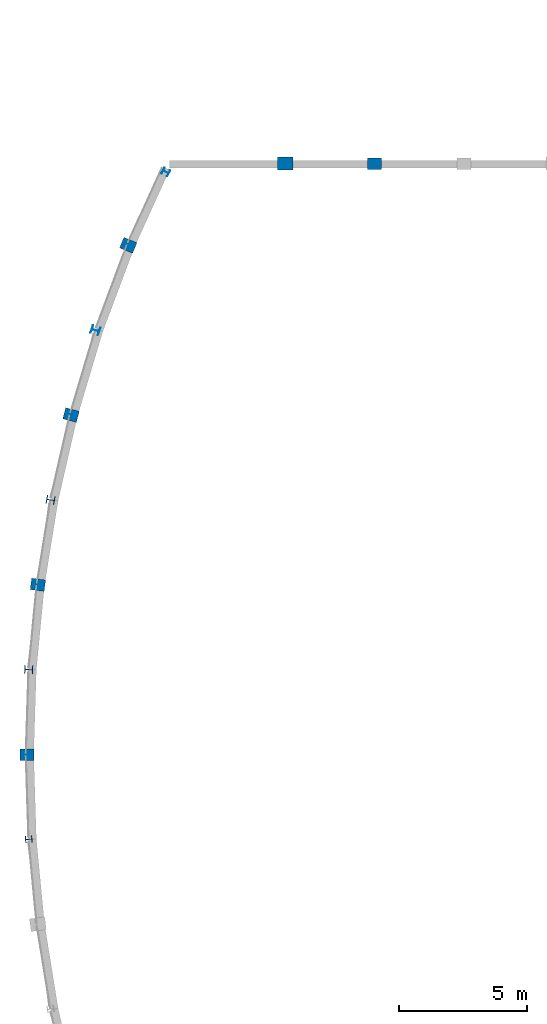
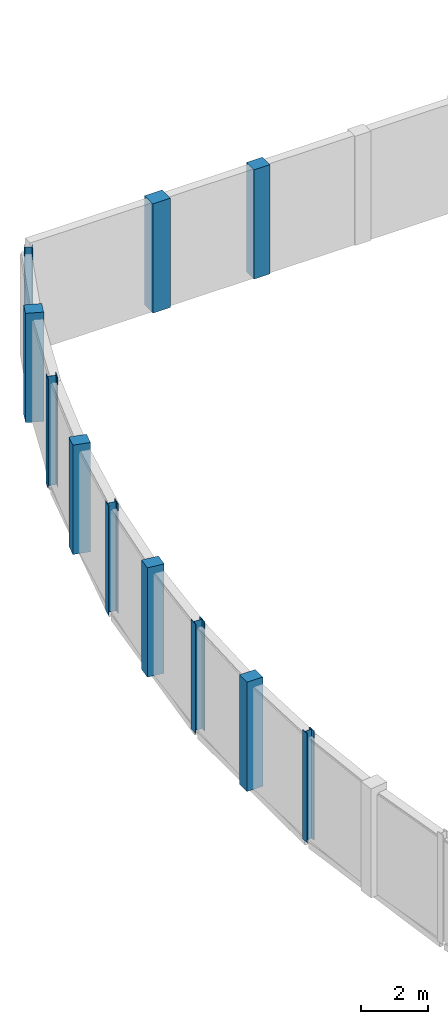
# One storey, part 4 of 92: 11 columns.
"""IFC4 building model written with IfcOpenShell, lengths in metres."""

from ifc_helpers import new_model, si_unit, direction, frame, origin, origin_2d, place, context, subcontext, project, spatial, rectangle, i_section, extrude, material, material_profile, profile_set, type_object, element, save


model = new_model("IFC4")

# Units and contexts
model_context = context("Model", 3, precision=1e-05, world=origin(), true_north=direction((0.0, 1.0)))
body_context = subcontext(model_context, "Body", "Model", "MODEL_VIEW")
ifc_project = project(units=[si_unit("LENGTHUNIT", "METRE"), si_unit("AREAUNIT", "SQUARE_METRE"), si_unit("VOLUMEUNIT", "CUBIC_METRE"), si_unit("PLANEANGLEUNIT", "RADIAN"), si_unit("MASSUNIT", "GRAM", prefix="KILO")], contexts=[model_context])

# Site, building, storey
site_placement = place(None, origin())
site = spatial("IfcSite", under=ifc_project, at=site_placement, CompositionType="ELEMENT")
building_placement = place(site_placement, origin())
building = spatial("IfcBuilding", under=site, at=building_placement, Name="Kelanivale Promenade Academy", CompositionType="ELEMENT")
storey_placement = place(building_placement, frame((0.0, 0.0, 8.199951171875)))
storey = spatial("IfcBuildingStorey", under=building, at=storey_placement, Name="L02", CompositionType="ELEMENT", Elevation=8.199951171875)

# Columns
ifc_material_1 = material(Name="Concrete C40/50", Category="concrete")
ifc_material_profile_1 = material_profile(ifc_material_1, rectangle(XDim=0.449951171875, YDim=0.550048828125, at=origin_2d()), Name="RC-PIL 450x550")
ifc_profile_set_1 = profile_set([ifc_material_profile_1], Name="Concrete C40/50")
column_type_1 = type_object("IfcColumnType", Name="PL-17 RC-PIL 450x550", PredefinedType="PILASTER", material=ifc_profile_set_1)
for number, where, z_axis, x_axis, name in (
    (1, (2.43994140625, 56.199951171875, 0.0), (0.0, 0.0, 1.0), (0.0, 1.0, 0.0), "Column PL-17 at (2.4, 56.2) L02"),
    (2, (2.864013671875, 62.8291015625, 0.0), (0.0, 0.0, 1.0), (0.12741083733, 0.991850028246, 0.0), "Column PL-17 at (2.9, 62.8) L02"),
    (3, (4.157958984375, 69.45703125, 0.0), (0.0, 0.0, 1.0), (0.2549394954, 0.966957007154, 0.0), "Column PL-17 at (4.2, 69.5) L02"),
    (4, (6.39306640625, 76.0859375, 0.0), (0.0, 0.0, 1.0), (0.382360914263, 0.92401305794, 0.0), "Column PL-17 at (6.4, 76.1) L02"),
    (5, (16.012939453125, 79.280029296875, 0.0), (0.0, 0.0, 1.0), (0.0, 1.0, 0.0), "Column PL-17 at (16.0, 79.3) L02"),
):
    element("IfcColumn", number, at=place(storey_placement, frame(where, z_axis=z_axis, x_axis=x_axis)), inside=storey, type_object=column_type_1, Name=name, PredefinedType="PILASTER", context=body_context, shape_type="SweptSolid", body=[
        extrude(rectangle(XDim=0.449951171875, YDim=0.550048828125, at=origin_2d()), origin(), (0.0, 0.0, 1.0), 4.0),
    ])
ifc_material_profile_2 = material_profile(ifc_material_1, rectangle(XDim=0.5, YDim=0.60009765625, at=origin_2d()), Name="RC-PIL 500x600")
ifc_profile_set_2 = profile_set([ifc_material_profile_2], Name="Concrete C40/50")
column_type_2 = type_object("IfcColumnType", Name="PL-18 RC-PIL 500x600", PredefinedType="PILASTER", material=ifc_profile_set_2)
column_placement = place(storey_placement, frame((12.52001953125, 79.280029296875, 0.0), z_axis=(0.0, 0.0, 1.0), x_axis=(0.0, 1.0, 0.0)))
element("IfcColumn", 6, at=column_placement, inside=storey, type_object=column_type_2, Name="Column PL-18 at (12.5, 79.3) L02", PredefinedType="PILASTER", context=body_context, shape_type="SweptSolid", body=[
    extrude(rectangle(XDim=0.5, YDim=0.60009765625, at=origin_2d()), origin(), (0.0, 0.0, 1.0), 4.0),
])
ifc_material_2 = material(Name="Steel S355", Category="steel")
ifc_material_profile_3 = material_profile(ifc_material_2, i_section(OverallWidth=0.25634765625, OverallDepth=0.26025390625, WebThickness=0.01025390625, FlangeThickness=0.017333984375, FilletRadius=0.0126953125, at=origin_2d()), Name="UC 254x254x89")
ifc_profile_set_3 = profile_set([ifc_material_profile_3], Name="Steel S355")
column_type_3 = type_object("IfcColumnType", Name="SC-03 UC 254x254x89", PredefinedType="COLUMN", material=ifc_profile_set_3)
for number, where, z_axis, x_axis, name in (
    (7, (2.506103515625, 52.885986328125, 0.0), (0.0, 0.0, 1.0), (-0.063661438132, 0.99797155335, 0.0), "Column SC-03 at (2.5, 52.9) L02"),
    (8, (7.862060546875, 78.949951171875, 0.0), (0.0, 0.0, 1.0), (0.44619781311, 0.894934361602, 0.0), "Column SC-03 at (7.9, 79.0) L02"),
):
    element("IfcColumn", number, at=place(storey_placement, frame(where, z_axis=z_axis, x_axis=x_axis)), inside=storey, type_object=column_type_3, Name=name, PredefinedType="COLUMN", context=body_context, shape_type="SweptSolid", body=[
        extrude(i_section(OverallWidth=0.25634765625, OverallDepth=0.26025390625, WebThickness=0.01025390625, FlangeThickness=0.017333984375, FilletRadius=0.0126953125, at=origin_2d()), origin(), (0.0, 0.0, 1.0), 4.0),
    ])
ifc_material_profile_4 = material_profile(ifc_material_2, i_section(OverallWidth=0.307373046875, OverallDepth=0.314453125, WebThickness=0.011962890625, FlangeThickness=0.018798828125, FilletRadius=0.01513671875, at=origin_2d()), Name="UC 305x305x118")
ifc_profile_set_4 = profile_set([ifc_material_profile_4], Name="Steel S355")
column_type_4 = type_object("IfcColumnType", Name="SC-04 UC 305x305x118", PredefinedType="COLUMN", material=ifc_profile_set_4)
for number, where, z_axis, x_axis, name in (
    (9, (2.506103515625, 59.513916015625, 0.0), (0.0, 0.0, 1.0), (0.063661438132, 0.99797155335, 0.0), "Column SC-04 at (2.5, 59.5) L02"),
    (10, (3.35888671875, 66.14306640625, 0.0), (0.0, 0.0, 1.0), (0.191151636272, 0.981560518741, 0.0), "Column SC-04 at (3.4, 66.1) L02"),
    (11, (5.111083984375, 72.77099609375, 0.0), (0.0, 0.0, 1.0), (0.318628456287, 0.947879690069, 0.0), "Column SC-04 at (5.1, 72.8) L02"),
):
    element("IfcColumn", number, at=place(storey_placement, frame(where, z_axis=z_axis, x_axis=x_axis)), inside=storey, type_object=column_type_4, Name=name, PredefinedType="COLUMN", context=body_context, shape_type="SweptSolid", body=[
        extrude(i_section(OverallWidth=0.307373046875, OverallDepth=0.314453125, WebThickness=0.011962890625, FlangeThickness=0.018798828125, FilletRadius=0.01513671875, at=origin_2d()), origin(), (0.0, 0.0, 1.0), 4.0),
    ])

save(model, "model.ifc")
